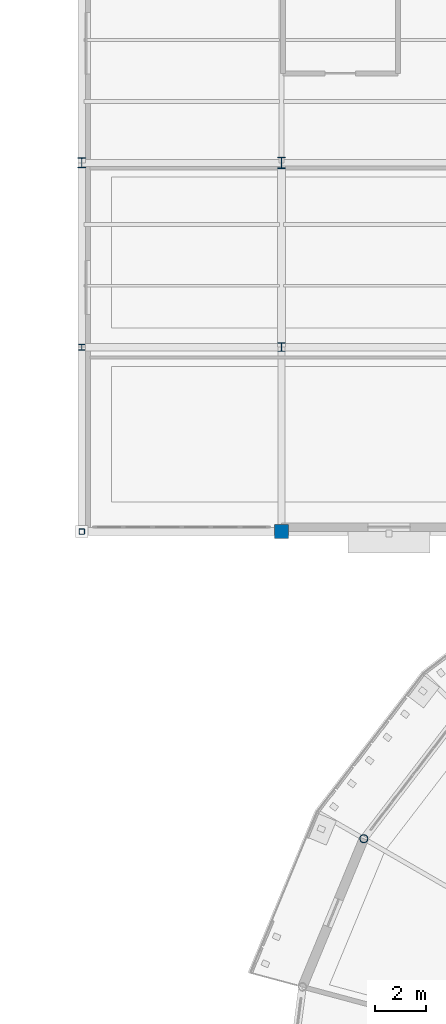
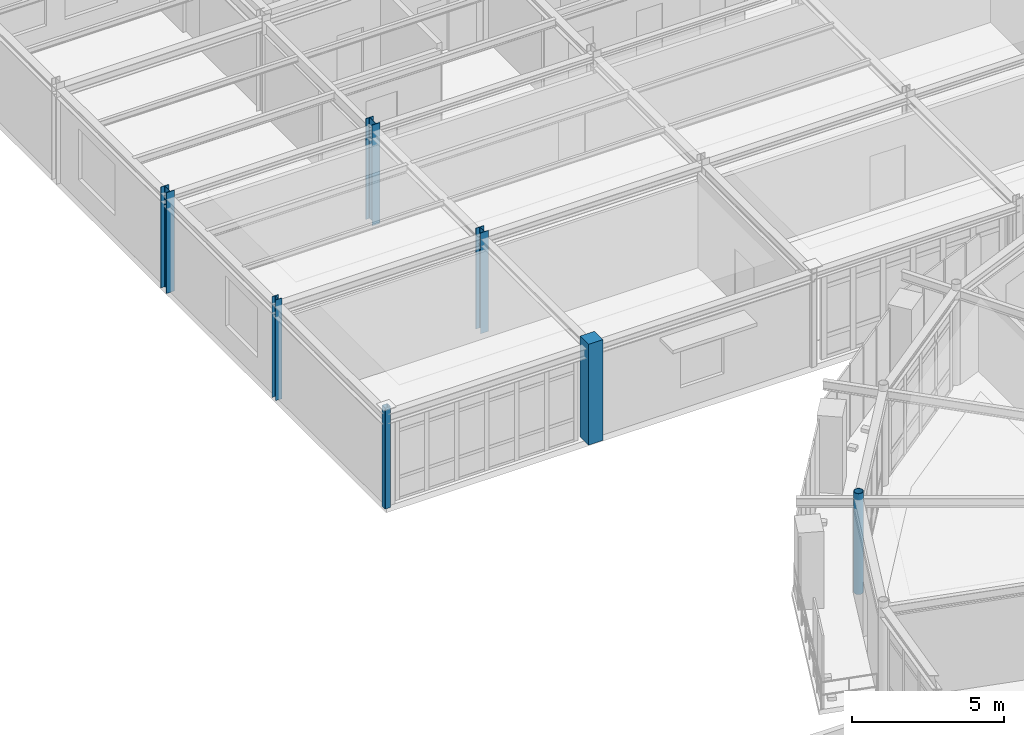
# One storey, part 9 of 70: 7 columns.
"""IFC4 building model written with IfcOpenShell, lengths in metres."""

from ifc_helpers import new_model, si_unit, derived_unit, direction, frame, origin, origin_2d, place, context, subcontext, project, spatial, rectangle, hollow_rectangle, hollow_circle, i_section, extrude, material, material_profile, profile_set, type_object, element, save


model = new_model("IFC4")

# Units and contexts
model_context = context("Model", 3, precision=1e-05, world=origin(), true_north=direction((0.0, 1.0)))
body_context = subcontext(model_context, "Body", "Model", "MODEL_VIEW")
ifc_project = project(units=[si_unit("LENGTHUNIT", "METRE"), si_unit("AREAUNIT", "SQUARE_METRE"), si_unit("VOLUMEUNIT", "CUBIC_METRE"), si_unit("PLANEANGLEUNIT", "RADIAN"), si_unit("MASSUNIT", "GRAM", prefix="KILO"), derived_unit("THERMALTRANSMITTANCEUNIT", [(si_unit("POWERUNIT", "WATT"), 1), (si_unit("AREAUNIT", "SQUARE_METRE"), -1), (si_unit("THERMODYNAMICTEMPERATUREUNIT", "KELVIN"), -1)])], contexts=[model_context])

# Site, building, storey
site_placement = place(None, origin())
site = spatial("IfcSite", under=ifc_project, at=site_placement, CompositionType="ELEMENT")
building_placement = place(site_placement, origin())
building = spatial("IfcBuilding", under=site, at=building_placement, Name="Yasenodar Specialist Clinic", CompositionType="ELEMENT")
storey_placement = place(building_placement, frame((0.0, 0.0, 13.199951171875)))
storey = spatial("IfcBuildingStorey", under=building, at=storey_placement, Name="L03", CompositionType="ELEMENT", Elevation=13.199951171875)

# Columns
ifc_material_1 = material(Name="Concrete C35/45", Category="concrete")
ifc_material_profile_1 = material_profile(ifc_material_1, rectangle(XDim=0.550048828125, YDim=0.550048828125, at=origin_2d()), Name="RC 550x550")
ifc_profile_set_1 = profile_set([ifc_material_profile_1], Name="Concrete C35/45")
column_type_1 = type_object("IfcColumnType", Name="COL-RC-550", PredefinedType="COLUMN", material=ifc_profile_set_1)
column_1_placement = place(storey_placement, frame((57.0, 82.800048828125, 0.0), z_axis=(0.0, 0.0, 1.0), x_axis=(1.0, 0.0, 0.0)))
element("IfcColumn", 1, at=column_1_placement, inside=storey, type_object=column_type_1, Name="L03 Column V5-088", PredefinedType="COLUMN", context=body_context, shape_type="SweptSolid", body=[
    extrude(rectangle(XDim=0.550048828125, YDim=0.550048828125, at=origin_2d()), origin(), (0.0, 0.0, 1.0), 4.050048828125),
])
ifc_material_2 = material(Name="Steel S355", Category="steel")
ifc_material_profile_2 = material_profile(ifc_material_2, hollow_circle(Radius=0.161865234375, WallThickness=0.01611328125, at=origin_2d()), Name="CHS 323.9x16")
ifc_profile_set_2 = profile_set([ifc_material_profile_2], Name="Steel S355")
column_type_2 = type_object("IfcColumnType", Name="COL-ST-CHS324", PredefinedType="COLUMN", material=ifc_profile_set_2)
column_2_placement = place(storey_placement, frame((60.21533203125, 70.800048828125, 0.0), z_axis=(0.0, 0.0, 1.0), x_axis=(1.0, 0.0, 0.0)))
element("IfcColumn", 2, at=column_2_placement, inside=storey, type_object=column_type_2, Name="L03 Drum V1 Outer Column 11", PredefinedType="COLUMN", context=body_context, shape_type="SweptSolid", body=[
    extrude(hollow_circle(Radius=0.161865234375, WallThickness=0.01611328125, at=origin_2d()), origin(), (0.0, 0.0, 1.0), 4.050048828125),
])
ifc_material_profile_3 = material_profile(ifc_material_2, i_section(OverallWidth=0.300048828125, OverallDepth=0.330078125, WebThickness=0.009521484375, FlangeThickness=0.0166015625, FilletRadius=0.027099609375, at=origin_2d()), Name="HEA 340")
ifc_profile_set_3 = profile_set([ifc_material_profile_3], Name="Steel S355")
column_type_3 = type_object("IfcColumnType", Name="COL-ST-HEA340", PredefinedType="COLUMN", material=ifc_profile_set_3)
column_3_placement = place(storey_placement, frame((57.0, 90.0, 0.0), z_axis=(0.0, 0.0, 1.0), x_axis=(1.0, 0.0, 0.0)))
element("IfcColumn", 3, at=column_3_placement, inside=storey, type_object=column_type_3, Name="L03 Column V5-089", PredefinedType="COLUMN", context=body_context, shape_type="SweptSolid", body=[
    extrude(i_section(OverallWidth=0.300048828125, OverallDepth=0.330078125, WebThickness=0.009521484375, FlangeThickness=0.0166015625, FilletRadius=0.027099609375, at=origin_2d()), origin(), (0.0, 0.0, 1.0), 4.050048828125),
])
ifc_material_profile_4 = material_profile(ifc_material_2, i_section(OverallWidth=0.300048828125, OverallDepth=0.389892578125, WebThickness=0.010986328125, FlangeThickness=0.01904296875, FilletRadius=0.027099609375, at=origin_2d()), Name="HEA 400")
ifc_profile_set_4 = profile_set([ifc_material_profile_4], Name="Steel S355")
column_type_4 = type_object("IfcColumnType", Name="COL-ST-HEA400", PredefinedType="COLUMN", material=ifc_profile_set_4)
column_4_placement = place(storey_placement, frame((49.199951171875, 97.199951171875, 0.0), z_axis=(0.0, 0.0, 1.0), x_axis=(1.0, 0.0, 0.0)))
element("IfcColumn", 4, at=column_4_placement, inside=storey, type_object=column_type_4, Name="L03 Column V5-083", PredefinedType="COLUMN", context=body_context, shape_type="SweptSolid", body=[
    extrude(i_section(OverallWidth=0.300048828125, OverallDepth=0.389892578125, WebThickness=0.010986328125, FlangeThickness=0.01904296875, FilletRadius=0.027099609375, at=origin_2d()), origin(), (0.0, 0.0, 1.0), 4.050048828125),
])
ifc_material_profile_5 = material_profile(ifc_material_2, i_section(OverallWidth=0.239990234375, OverallDepth=0.239990234375, WebThickness=0.010009765625, FlangeThickness=0.01708984375, FilletRadius=0.02099609375, at=origin_2d()), Name="HEB 240")
ifc_profile_set_5 = profile_set([ifc_material_profile_5], Name="Steel S355")
column_type_5 = type_object("IfcColumnType", Name="COL-ST-HEB240", PredefinedType="COLUMN", material=ifc_profile_set_5)
column_5_placement = place(storey_placement, frame((49.199951171875, 90.0, 0.0), z_axis=(0.0, 0.0, 1.0), x_axis=(1.0, 0.0, 0.0)))
element("IfcColumn", 5, at=column_5_placement, inside=storey, type_object=column_type_5, Name="L03 Column V5-082", PredefinedType="COLUMN", context=body_context, shape_type="SweptSolid", body=[
    extrude(i_section(OverallWidth=0.239990234375, OverallDepth=0.239990234375, WebThickness=0.010009765625, FlangeThickness=0.01708984375, FilletRadius=0.02099609375, at=origin_2d()), origin(), (0.0, 0.0, 1.0), 4.050048828125),
])
ifc_material_profile_6 = material_profile(ifc_material_2, i_section(OverallWidth=0.300048828125, OverallDepth=0.449951171875, WebThickness=0.013916015625, FlangeThickness=0.02587890625, FilletRadius=0.027099609375, at=origin_2d()), Name="HEB 450")
ifc_profile_set_6 = profile_set([ifc_material_profile_6], Name="Steel S355")
column_type_6 = type_object("IfcColumnType", Name="COL-ST-HEB450", PredefinedType="COLUMN", material=ifc_profile_set_6)
column_6_placement = place(storey_placement, frame((57.0, 97.199951171875, 0.0), z_axis=(0.0, 0.0, 1.0), x_axis=(1.0, 0.0, 0.0)))
element("IfcColumn", 6, at=column_6_placement, inside=storey, type_object=column_type_6, Name="L03 Column V5-090", PredefinedType="COLUMN", context=body_context, shape_type="SweptSolid", body=[
    extrude(i_section(OverallWidth=0.300048828125, OverallDepth=0.449951171875, WebThickness=0.013916015625, FlangeThickness=0.02587890625, FilletRadius=0.027099609375, at=origin_2d()), origin(), (0.0, 0.0, 1.0), 4.050048828125),
])
ifc_material_profile_7 = material_profile(ifc_material_2, hollow_rectangle(XDim=0.219970703125, YDim=0.219970703125, WallThickness=0.012451171875, InnerFilletRadius=0.018798828125, OuterFilletRadius=0.03125, at=origin_2d()), Name="SHS 220x220x12.5")
ifc_profile_set_7 = profile_set([ifc_material_profile_7], Name="Steel S355")
column_type_7 = type_object("IfcColumnType", Name="COL-ST-SHS220", PredefinedType="COLUMN", material=ifc_profile_set_7)
column_7_placement = place(storey_placement, frame((49.199951171875, 82.800048828125, 0.0), z_axis=(0.0, 0.0, 1.0), x_axis=(1.0, 0.0, 0.0)))
element("IfcColumn", 7, at=column_7_placement, inside=storey, type_object=column_type_7, Name="L03 Column V5-081", PredefinedType="COLUMN", context=body_context, shape_type="SweptSolid", body=[
    extrude(hollow_rectangle(XDim=0.219970703125, YDim=0.219970703125, WallThickness=0.012451171875, InnerFilletRadius=0.018798828125, OuterFilletRadius=0.03125, at=origin_2d()), origin(), (0.0, 0.0, 1.0), 4.050048828125),
])

save(model, "model.ifc")
